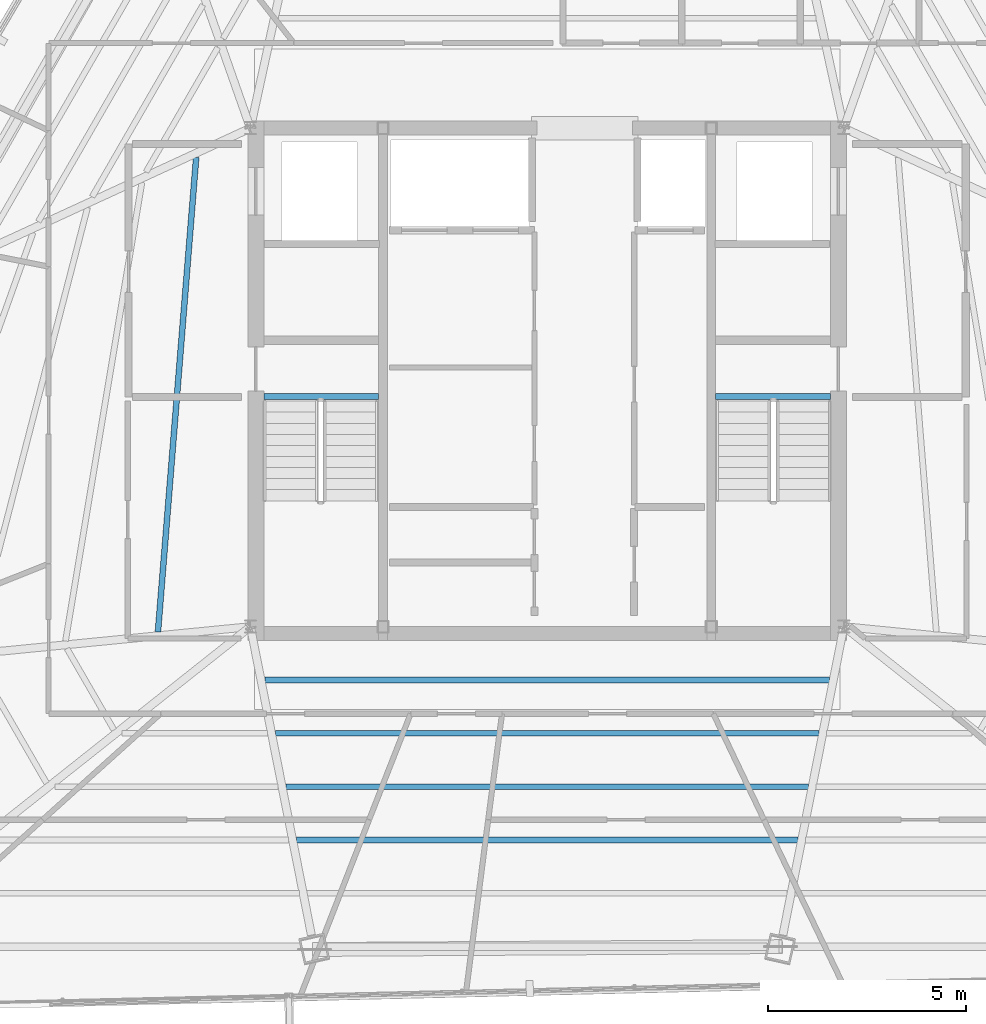
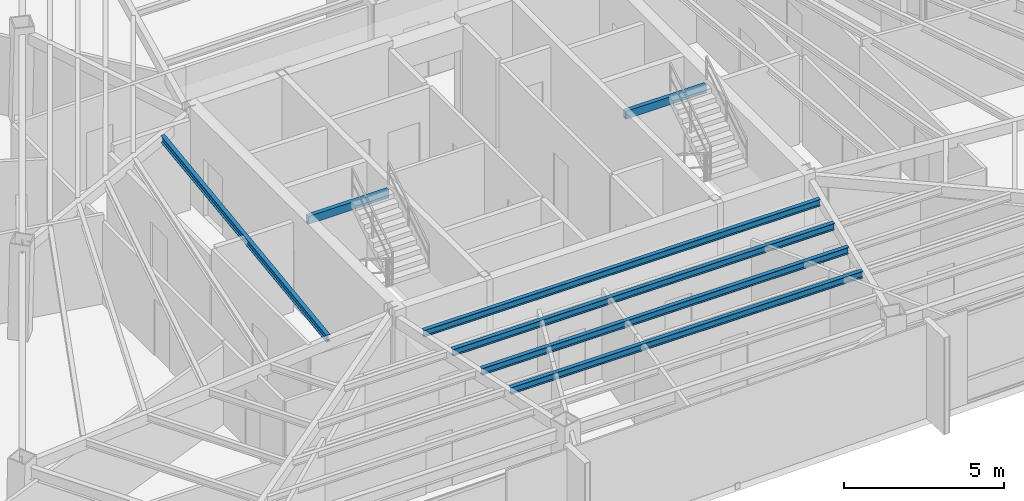
# One storey, part 14 of 46: 7 beams.
"""IFC4 building model written with IfcOpenShell, lengths in metres."""

import ifcopenshell
import ifcopenshell.guid

model = None  # the IFC model being written
_history = None  # IfcOwnerHistory: only IFC2X3 demands one
_inside = {}  # id of a spatial element -> (the spatial element, [elements in it])
_under = {}  # id of a project, library or spatial element -> (it, [spatial elements below it])
_declared = {}  # id of a project -> (the project, [libraries it declares])
_typed = {}  # id of a type object -> (the type object, [elements of that type])
_made_of = {}  # id of a material, layer set ... -> (it, [elements and type objects made of it])


def new_model(schema):
    """Start an empty IFC model of exactly this schema.

    Asked for "IFC4X3", IfcOpenShell would pick the latest addendum, in which some entities
    have other attributes; the version numbers below select the first issue.
    IFC2X3 requires an IfcOwnerHistory on every rooted entity: one is made here for all.
    """
    global model, _history
    if schema == "IFC4X3":
        model = ifcopenshell.file(schema_version=(4, 3, 0, 0))
    else:
        model = ifcopenshell.file(schema=schema)
    _inside.clear()
    _under.clear()
    _declared.clear()
    _typed.clear()
    _made_of.clear()
    _history = None
    if model.schema == "IFC2X3":
        org = make("IfcOrganization", Name="unknown")
        user = make(
            "IfcPersonAndOrganization",
            ThePerson=make("IfcPerson", FamilyName="unknown"),
            TheOrganization=org,
        )
        app = make(
            "IfcApplication",
            ApplicationDeveloper=org,
            Version="unknown",
            ApplicationFullName="unknown",
            ApplicationIdentifier="unknown",
        )
        _history = make(
            "IfcOwnerHistory",
            OwningUser=user,
            OwningApplication=app,
            ChangeAction="ADDED",
            CreationDate=0,
        )
    return model


def make(cls, **values):
    """One entity of the class cls with the attributes given. An attribute that is None is left unset."""
    return model.create_entity(
        cls, **{name: value for name, value in values.items() if value is not None}
    )


def rooted(cls, **values):
    """An entity with a GlobalId (a new one), such as an element, a storey or a relation."""
    return make(cls, GlobalId=ifcopenshell.guid.new(), OwnerHistory=_history, **values)


def si_unit(unit_type, name, prefix=None):
    """IfcSIUnit, for example si_unit("LENGTHUNIT", "METRE", prefix="MILLI")."""
    return make("IfcSIUnit", UnitType=unit_type, Prefix=prefix, Name=name)


def assignment(units):
    """IfcUnitAssignment: the units of a project."""
    return None if units is None else make("IfcUnitAssignment", Units=units)


def point(xyz):
    """IfcCartesianPoint."""
    return None if xyz is None else make("IfcCartesianPoint", Coordinates=xyz)


def direction(xyz):
    """IfcDirection."""
    return None if xyz is None else make("IfcDirection", DirectionRatios=xyz)


def frame(location, z_axis=None, x_axis=None):
    """IfcAxis2Placement3D, a coordinate frame: its origin and axes. An axis left out is left unset."""
    return make(
        "IfcAxis2Placement3D",
        Location=point(location),
        Axis=direction(z_axis),
        RefDirection=direction(x_axis),
    )


def frame_2d(location, x_axis=None):
    """IfcAxis2Placement2D, a coordinate frame in the plane: its origin and x axis."""
    return make(
        "IfcAxis2Placement2D", Location=point(location), RefDirection=direction(x_axis)
    )


def origin():
    """The frame at (0, 0, 0) with its axes left unset."""
    return frame((0.0, 0.0, 0.0))


def origin_2d():
    """The frame at (0, 0) in the plane with its x axis left unset."""
    return frame_2d((0.0, 0.0))


def place(relative_to, where):
    """IfcLocalPlacement: puts the frame where relative to a parent placement (None: the world)."""
    return make(
        "IfcLocalPlacement", PlacementRelTo=relative_to, RelativePlacement=where
    )


def context(
    kind, dimensions, precision=None, world=None, true_north=None, identifier=None
):
    """IfcGeometricRepresentationContext, for example the 3D "Model" context."""
    return make(
        "IfcGeometricRepresentationContext",
        ContextIdentifier=identifier,
        ContextType=kind,
        CoordinateSpaceDimension=dimensions,
        Precision=precision,
        WorldCoordinateSystem=world,
        TrueNorth=true_north,
    )


def subcontext(parent, identifier, kind, view, scale=None):
    """IfcGeometricRepresentationSubContext, for example "Body" below "Model"."""
    return make(
        "IfcGeometricRepresentationSubContext",
        ContextIdentifier=identifier,
        ContextType=kind,
        ParentContext=parent,
        TargetScale=scale,
        TargetView=view,
    )


def project(units=None, contexts=None):
    """IfcProject with its units and contexts."""
    return rooted(
        "IfcProject",
        Name="project",
        RepresentationContexts=contexts,
        UnitsInContext=assignment(units),
    )


def spatial(cls, under=None, at=None, **own):
    """A site, building, storey or space (cls), placed at a placement, below another one or the project."""
    s = rooted(cls, ObjectPlacement=at, **own)
    if under is not None:
        _under.setdefault(under.id(), (under, []))[1].append(s)
    return s


def profile(cls, at=None, kind="AREA", **sizes):
    """A parametric profile (cls). Its sizes go by their IFC names, for example OverallWidth=200.0."""
    return make(cls, ProfileType=kind, Position=at, **sizes)


def hollow_rectangle(**sizes):
    """IfcRectangleHollowProfileDef."""
    return profile("IfcRectangleHollowProfileDef", **sizes)


def i_section(**sizes):
    """IfcIShapeProfileDef."""
    return profile("IfcIShapeProfileDef", **sizes)


def extrude(swept, where, along, depth):
    """IfcExtrudedAreaSolid: the profile swept, set in the frame where, extruded along a direction by depth."""
    return make(
        "IfcExtrudedAreaSolid",
        SweptArea=swept,
        Position=where,
        ExtrudedDirection=direction(along),
        Depth=depth,
    )


def shape(context_of_items, identifier, shape_type, items):
    """IfcShapeRepresentation: the items that make up one representation, for example the "Body"."""
    return make(
        "IfcShapeRepresentation",
        ContextOfItems=context_of_items,
        RepresentationIdentifier=identifier,
        RepresentationType=shape_type,
        Items=items,
    )


def source(mapping_origin, context_of_items, identifier, shape_type, items):
    """IfcRepresentationMap: a shape defined once, which mapped items show again and again."""
    return make(
        "IfcRepresentationMap",
        MappingOrigin=mapping_origin,
        MappedRepresentation=shape(context_of_items, identifier, shape_type, items),
    )


def transform(
    local_origin,
    x_axis=None,
    y_axis=None,
    z_axis=None,
    scale=None,
    scale2=None,
    scale3=None,
    uniform=True,
):
    """IfcCartesianTransformationOperator3D, or its non-uniform kind. x_axis, y_axis, z_axis: its Axis1, 2, 3."""
    if uniform:
        return make(
            "IfcCartesianTransformationOperator3D",
            Axis1=direction(x_axis),
            Axis2=direction(y_axis),
            LocalOrigin=point(local_origin),
            Scale=scale,
            Axis3=direction(z_axis),
        )
    return make(
        "IfcCartesianTransformationOperator3DnonUniform",
        Axis1=direction(x_axis),
        Axis2=direction(y_axis),
        LocalOrigin=point(local_origin),
        Scale=scale,
        Axis3=direction(z_axis),
        Scale2=scale2,
        Scale3=scale3,
    )


def mapped(mapping_source, mapping_target):
    """IfcMappedItem: shows the shape of a source again, moved by a transform."""
    return make(
        "IfcMappedItem", MappingSource=mapping_source, MappingTarget=mapping_target
    )


def material(Name=None, Category=None):
    """IfcMaterial."""
    return make("IfcMaterial", Name=Name, Category=Category)


def material_profile(
    of_material, cross_section, Name=None, Category=None, Priority=None
):
    """IfcMaterialProfile: a cross section and its material."""
    return make(
        "IfcMaterialProfile",
        Name=Name,
        Material=of_material,
        Profile=cross_section,
        Priority=Priority,
        Category=Category,
    )


def profile_set(profiles, Name=None, composite=None):
    """IfcMaterialProfileSet."""
    return make(
        "IfcMaterialProfileSet",
        Name=Name,
        MaterialProfiles=profiles,
        CompositeProfile=composite,
    )


def made_of(thing, what):
    """Note that an element or type object is made of a material, layer set ...; save() writes the relation."""
    if what is not None:
        _made_of.setdefault(what.id(), (what, []))[1].append(thing)
    return thing


def type_object(cls, material=None, **own):
    """A type object (cls), such as IfcWallType, which elements share."""
    return made_of(rooted(cls, **own), material)


def type_shapes(of_type, sources):
    """Give a type object the sources (RepresentationMaps) that its elements show as mapped items."""
    of_type.RepresentationMaps = sources


def element(
    cls,
    number,
    at=None,
    inside=None,
    cuts=None,
    type_object=None,
    material=None,
    context=None,
    identifier="Body",
    shape_type=None,
    held_by="IfcProductDefinitionShape",
    body=None,
    shapes=None,
    **own,
):
    """One element of the class cls, such as IfcWall. Its Tag is "e" and its number.

    at: its placement. inside: the storey or other place that contains it. cuts: it is an
    opening in that element (IfcRelVoidsElement). A single representation is given by context,
    identifier, shape_type and body (its items); several are given by shapes. held_by: the class
    of the entity that holds the representations. save() writes the other relations.
    """
    e = rooted(cls, Tag="e%d" % number, ObjectPlacement=at, **own)
    if body is not None:
        shapes = [shape(context, identifier, shape_type, body)]
    if shapes is not None:
        e.Representation = make(held_by, Representations=shapes)
    if inside is not None:
        _inside.setdefault(inside.id(), (inside, []))[1].append(e)
    if cuts is not None:
        rooted(
            "IfcRelVoidsElement", RelatingBuildingElement=cuts, RelatedOpeningElement=e
        )
    if type_object is not None:
        _typed.setdefault(type_object.id(), (type_object, []))[1].append(e)
    return made_of(e, material)


def aggregate(whole, parts):
    """IfcRelAggregates: a whole, such as a stair, and the parts it consists of."""
    return rooted("IfcRelAggregates", RelatingObject=whole, RelatedObjects=parts)


def save(model, path):
    """Write the relations noted so far, then the file.

    IfcRelAggregates (storeys below a building ...), IfcRelContainedInSpatialStructure (elements
    in a storey), IfcRelDefinesByType, IfcRelAssociatesMaterial and IfcRelDeclares: one each for
    every whole, place, type object, material and project.
    """
    for whole, parts in _under.values():
        aggregate(whole, parts)
    for where, things in _inside.values():
        rooted(
            "IfcRelContainedInSpatialStructure",
            RelatedElements=things,
            RelatingStructure=where,
        )
    for kind, things in _typed.values():
        rooted("IfcRelDefinesByType", RelatedObjects=things, RelatingType=kind)
    for what, things in _made_of.values():
        rooted("IfcRelAssociatesMaterial", RelatedObjects=things, RelatingMaterial=what)
    for by, libraries in _declared.values():
        rooted("IfcRelDeclares", RelatingContext=by, RelatedDefinitions=libraries)
    model.write(path)


model = new_model("IFC4")

# Units and contexts
model_context = context("Model", 3, precision=1e-05, world=origin(), true_north=direction((0.0, 1.0)))
body_context = subcontext(model_context, "Body", "Model", "MODEL_VIEW")
ifc_project = project(units=[si_unit("LENGTHUNIT", "METRE"), si_unit("AREAUNIT", "SQUARE_METRE"), si_unit("VOLUMEUNIT", "CUBIC_METRE"), si_unit("PLANEANGLEUNIT", "RADIAN"), si_unit("MASSUNIT", "GRAM", prefix="KILO")], contexts=[model_context])

# Site, building, storey
site_placement = place(None, origin())
site = spatial("IfcSite", under=ifc_project, at=site_placement, CompositionType="ELEMENT")
building_placement = place(site_placement, origin())
building = spatial("IfcBuilding", under=site, at=building_placement, Name="Caelisora Broadcast Tower", CompositionType="ELEMENT")
storey_placement = place(building_placement, frame((0.0, 0.0, 251.75)))
storey = spatial("IfcBuildingStorey", under=building, at=storey_placement, Name="L66", CompositionType="ELEMENT", Elevation=251.75)

# Beams
ifc_material_1 = material(Name="Steel Grade 350 (AS/NZS 1163 C350L0)", Category="steel")
ifc_material_profile_1 = material_profile(ifc_material_1, hollow_rectangle(XDim=0.14990234375, YDim=0.300048828125, WallThickness=0.010009765625, at=origin_2d()), Name="Steel Grade 350 (AS/NZS 1163 C350L0)")
ifc_profile_set_1 = profile_set([ifc_material_profile_1], Name="Steel Grade 350 (AS/NZS 1163 C350L0)")
beam_type_1 = type_object("IfcBeamType", Name="SB05", PredefinedType="JOIST", material=ifc_profile_set_1)
shared_shape_1 = source(origin(), body_context, "Body", "SweptSolid", [
    extrude(hollow_rectangle(XDim=0.14990234375, YDim=0.300048828125, WallThickness=0.010009765625, at=origin_2d()), origin(), (0.0, 0.0, 1.0), 2.89990234375),
])
type_shapes(beam_type_1, [shared_shape_1])
for number, where, z_axis, x_axis, name in (
    (1, (30.840087890625, 23.219970703125, 3.25), (1.0, 0.0, 0.0), (0.0, 1.0, 0.0), "L66 beam SB05"),
    (2, (42.260009765625, 23.219970703125, 3.25), (1.0, 0.0, 0.0), (0.0, 1.0, 0.0), "L66 beam SB05"),
):
    element("IfcBeam", number, at=place(storey_placement, frame(where, z_axis=z_axis, x_axis=x_axis)), inside=storey, type_object=beam_type_1, Name=name, PredefinedType="JOIST", context=body_context, shape_type="MappedRepresentation", body=[
        mapped(shared_shape_1, transform((0.0, 0.0, 0.0), scale=1.0)),
    ])
ifc_material_2 = material(Name="Steel Grade 350 (AS/NZS 3679.1)", Category="steel")
ifc_material_profile_2 = material_profile(ifc_material_2, i_section(OverallWidth=0.14599609375, OverallDepth=0.256103515625, WebThickness=0.00634765625, FlangeThickness=0.010986328125, at=origin_2d()), Name="Steel Grade 350 (AS/NZS 3679.1)")
ifc_profile_set_2 = profile_set([ifc_material_profile_2], Name="Steel Grade 350 (AS/NZS 3679.1)")
beam_type_2 = type_object("IfcBeamType", Name="SB04", PredefinedType="JOIST", material=ifc_profile_set_2)
shared_shape_2 = source(origin(), body_context, "Body", "SweptSolid", [
    extrude(i_section(OverallWidth=0.14599609375, OverallDepth=0.256103515625, WebThickness=0.00634765625, FlangeThickness=0.010986328125, at=origin_2d()), origin(), (0.0, 0.0, 1.0), 12.032470703125),
])
beam_1_placement = place(storey_placement, frame((29.12939453125, 29.260986328125, 3.27197265625), z_axis=(-0.080328265013, -0.996768463506, 0.0), x_axis=(0.996768463506, -0.080328265013, 0.0)))
element("IfcBeam", 3, at=beam_1_placement, inside=storey, type_object=beam_type_2, Name="L66 beam SB04", PredefinedType="JOIST", context=body_context, shape_type="MappedRepresentation", body=[
    mapped(shared_shape_2, transform((0.0, 0.0, 0.0), scale=1.0)),
])
shared_shape_3 = source(origin(), body_context, "Body", "SweptSolid", [
    extrude(i_section(OverallWidth=0.14599609375, OverallDepth=0.256103515625, WebThickness=0.00634765625, FlangeThickness=0.010986328125, at=origin_2d()), origin(), (0.0, 0.0, 1.0), 14.26904296875),
])
beam_2_placement = place(storey_placement, frame((30.865478515625, 16.052001953125, 3.27197265625), z_axis=(1.0, 0.0, 0.0), x_axis=(0.0, 1.0, 0.0)))
element("IfcBeam", 4, at=beam_2_placement, inside=storey, type_object=beam_type_2, Name="L66 beam SB04", PredefinedType="JOIST", context=body_context, shape_type="MappedRepresentation", body=[
    mapped(shared_shape_3, transform((0.0, 0.0, 0.0), scale=1.0)),
])
shared_shape_4 = source(origin(), body_context, "Body", "SweptSolid", [
    extrude(i_section(OverallWidth=0.14599609375, OverallDepth=0.256103515625, WebThickness=0.00634765625, FlangeThickness=0.010986328125, at=origin_2d()), origin(), (0.0, 0.0, 1.0), 13.73583984375),
])
beam_3_placement = place(storey_placement, frame((31.132080078125, 14.7041015625, 3.27197265625), z_axis=(1.0, 0.0, 0.0), x_axis=(0.0, 1.0, 0.0)))
element("IfcBeam", 5, at=beam_3_placement, inside=storey, type_object=beam_type_2, Name="L66 beam SB04", PredefinedType="JOIST", context=body_context, shape_type="MappedRepresentation", body=[
    mapped(shared_shape_4, transform((0.0, 0.0, 0.0), scale=1.0)),
])
shared_shape_5 = source(origin(), body_context, "Body", "SweptSolid", [
    extrude(i_section(OverallWidth=0.14599609375, OverallDepth=0.256103515625, WebThickness=0.00634765625, FlangeThickness=0.010986328125, at=origin_2d()), origin(), (0.0, 0.0, 1.0), 13.20263671875),
])
beam_4_placement = place(storey_placement, frame((31.398681640625, 13.35595703125, 3.27197265625), z_axis=(1.0, 0.0, 0.0), x_axis=(0.0, 1.0, 0.0)))
element("IfcBeam", 6, at=beam_4_placement, inside=storey, type_object=beam_type_2, Name="L66 beam SB04", PredefinedType="JOIST", context=body_context, shape_type="MappedRepresentation", body=[
    mapped(shared_shape_5, transform((0.0, 0.0, 0.0), scale=1.0)),
])
shared_shape_6 = source(origin(), body_context, "Body", "SweptSolid", [
    extrude(i_section(OverallWidth=0.14599609375, OverallDepth=0.256103515625, WebThickness=0.00634765625, FlangeThickness=0.010986328125, at=origin_2d()), origin(), (0.0, 0.0, 1.0), 12.6689453125),
])
type_shapes(beam_type_2, [shared_shape_2, shared_shape_3, shared_shape_4, shared_shape_5, shared_shape_6])
beam_5_placement = place(storey_placement, frame((31.66552734375, 12.008056640625, 3.27197265625), z_axis=(1.0, 0.0, 0.0), x_axis=(0.0, 1.0, 0.0)))
element("IfcBeam", 7, at=beam_5_placement, inside=storey, type_object=beam_type_2, Name="L66 beam SB04", PredefinedType="JOIST", context=body_context, shape_type="MappedRepresentation", body=[
    mapped(shared_shape_6, transform((0.0, 0.0, 0.0), scale=1.0)),
])

save(model, "model.ifc")
